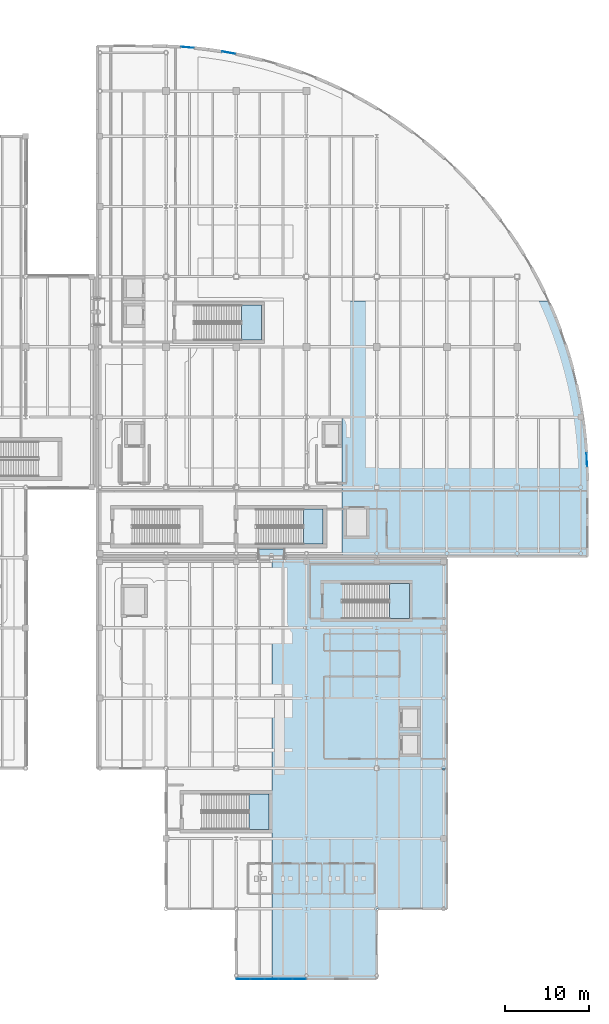
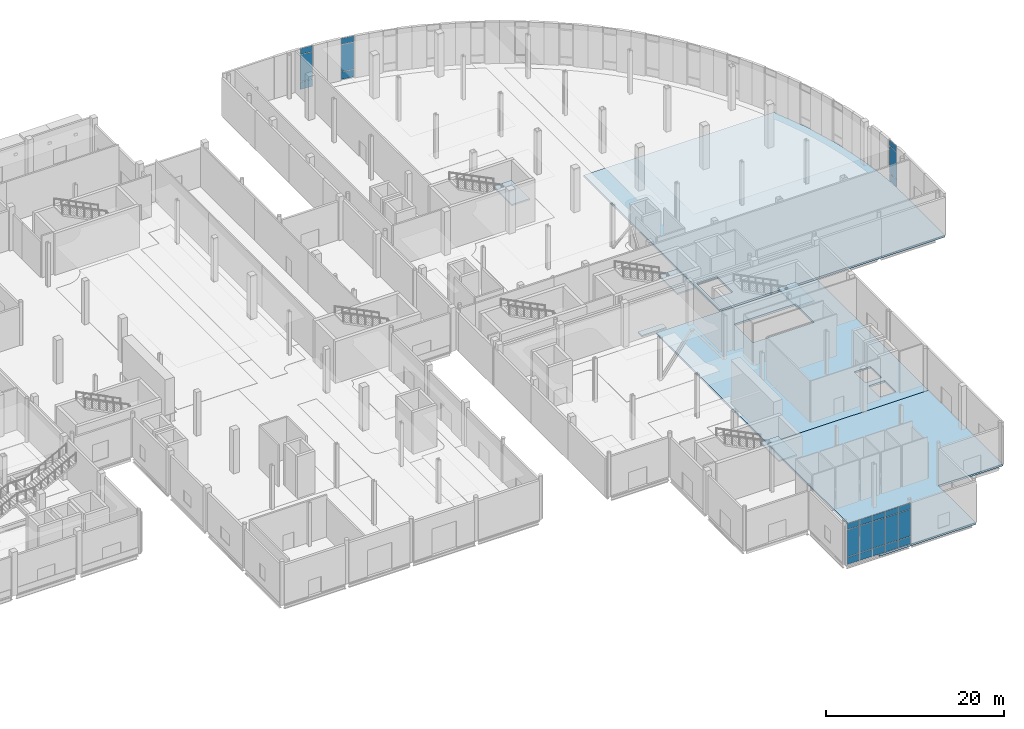
# One storey, part 41 of 85: 24 plates, 8 slabs, 8 elements without a shape of their own.
"""IFC4 building model written with IfcOpenShell, lengths in metres."""

from ifc_helpers import new_model, si_unit, direction, frame, origin, origin_2d, place, context, subcontext, project, spatial, polyline, rectangle, outline, extrude, material, layer, layer_set, type_object, element, aggregate, save


model = new_model("IFC4")

# Units and contexts
model_context = context("Model", 3, precision=1e-05, world=origin(), true_north=direction((0.0, 1.0)))
body_context = subcontext(model_context, "Body", "Model", "MODEL_VIEW")
ifc_project = project(units=[si_unit("LENGTHUNIT", "METRE"), si_unit("AREAUNIT", "SQUARE_METRE"), si_unit("VOLUMEUNIT", "CUBIC_METRE"), si_unit("PLANEANGLEUNIT", "RADIAN"), si_unit("MASSUNIT", "GRAM", prefix="KILO"), si_unit("THERMODYNAMICTEMPERATUREUNIT", "KELVIN")], contexts=[model_context])

# Site, building, storey
site_placement = place(None, origin())
site = spatial("IfcSite", under=ifc_project, at=site_placement, CompositionType="ELEMENT")
building_placement = place(site_placement, origin())
building = spatial("IfcBuilding", under=site, at=building_placement, Name="Lustrewick Department Store", CompositionType="ELEMENT")
storey_placement = place(building_placement, origin())
storey = spatial("IfcBuildingStorey", under=building, at=storey_placement, Name="L01", CompositionType="ELEMENT", Elevation=0.0)

# Curtain wall, plates
ifc_material_1 = material(Name="Thermally broken aluminium 6063-T5", Category="aluminium")
ifc_layer_1 = layer(ifc_material_1, 0.199951171875, Name="Thermally broken aluminium 6063-T5")
ifc_layer_set_1 = layer_set([ifc_layer_1], Name="Thermally broken aluminium 6063-T5")
curtain_wall_type_1 = type_object("IfcCurtainWallType", Name="CW01", PredefinedType="NOTDEFINED", material=ifc_layer_set_1)
curtain_wall_1_placement = place(storey_placement, origin())
curtain_wall_1 = element("IfcCurtainWall", 1, at=curtain_wall_1_placement, inside=storey, type_object=curtain_wall_type_1, Name="L01 V3 Curtain Wall CW01", PredefinedType="NOTDEFINED")
ifc_material_2 = material(Name="Low-E laminated safety glass", Category="glass")
ifc_layer_2 = layer(ifc_material_2, 0.02392578125, Name="Low-E laminated safety glass")
ifc_layer_set_2 = layer_set([ifc_layer_2], Name="Low-E laminated safety glass")
plate_type_1 = type_object("IfcPlateType", Name="CP01", PredefinedType="CURTAIN_PANEL", material=ifc_layer_set_2)
plate_1_placement = place(storey_placement, frame((126.857421875, 0.0, 0.06982421875), z_axis=(0.0, 0.0, 1.0), x_axis=(1.0, 0.0, 0.0)))
plate_1 = element("IfcPlate", 2, at=plate_1_placement, type_object=plate_type_1, Name="CW01 panel 1.1", PredefinedType="CURTAIN_PANEL", context=body_context, shape_type="SweptSolid", body=[
    extrude(rectangle(XDim=1.574951171875, YDim=0.02392578125, at=origin_2d()), origin(), (0.0, 0.0, 1.0), 0.9951171875),
])
plate_2_placement = place(storey_placement, frame((126.857421875, 0.0, 1.134765625), z_axis=(0.0, 0.0, 1.0), x_axis=(1.0, 0.0, 0.0)))
plate_2 = element("IfcPlate", 3, at=plate_2_placement, type_object=plate_type_1, Name="CW01 panel 1.2", PredefinedType="CURTAIN_PANEL", context=body_context, shape_type="SweptSolid", body=[
    extrude(rectangle(XDim=1.574951171875, YDim=0.02392578125, at=origin_2d()), origin(), (0.0, 0.0, 1.0), 3.675048828125),
])
plate_3_placement = place(storey_placement, frame((126.857421875, 0.0, 4.880126953125), z_axis=(0.0, 0.0, 1.0), x_axis=(1.0, 0.0, 0.0)))
plate_3 = element("IfcPlate", 4, at=plate_3_placement, type_object=plate_type_1, Name="CW01 panel 1.3", PredefinedType="CURTAIN_PANEL", context=body_context, shape_type="SweptSolid", body=[
    extrude(rectangle(XDim=1.574951171875, YDim=0.02392578125, at=origin_2d()), origin(), (0.0, 0.0, 1.0), 0.794921875),
])
plate_4_placement = place(storey_placement, frame((128.52001953125, 0.0, 0.06982421875), z_axis=(0.0, 0.0, 1.0), x_axis=(1.0, 0.0, 0.0)))
plate_4 = element("IfcPlate", 5, at=plate_4_placement, type_object=plate_type_1, Name="CW01 panel 2.1", PredefinedType="CURTAIN_PANEL", context=body_context, shape_type="SweptSolid", body=[
    extrude(rectangle(XDim=1.610107421875, YDim=0.02392578125, at=origin_2d()), origin(), (0.0, 0.0, 1.0), 0.9951171875),
])
plate_5_placement = place(storey_placement, frame((128.52001953125, 0.0, 1.134765625), z_axis=(0.0, 0.0, 1.0), x_axis=(1.0, 0.0, 0.0)))
plate_5 = element("IfcPlate", 6, at=plate_5_placement, type_object=plate_type_1, Name="CW01 panel 2.2", PredefinedType="CURTAIN_PANEL", context=body_context, shape_type="SweptSolid", body=[
    extrude(rectangle(XDim=1.610107421875, YDim=0.02392578125, at=origin_2d()), origin(), (0.0, 0.0, 1.0), 3.675048828125),
])
plate_6_placement = place(storey_placement, frame((128.52001953125, 0.0, 4.880126953125), z_axis=(0.0, 0.0, 1.0), x_axis=(1.0, 0.0, 0.0)))
plate_6 = element("IfcPlate", 7, at=plate_6_placement, type_object=plate_type_1, Name="CW01 panel 2.3", PredefinedType="CURTAIN_PANEL", context=body_context, shape_type="SweptSolid", body=[
    extrude(rectangle(XDim=1.610107421875, YDim=0.02392578125, at=origin_2d()), origin(), (0.0, 0.0, 1.0), 0.794921875),
])
plate_7_placement = place(storey_placement, frame((130.199951171875, 0.0, 0.06982421875), z_axis=(0.0, 0.0, 1.0), x_axis=(1.0, 0.0, 0.0)))
plate_7 = element("IfcPlate", 8, at=plate_7_placement, type_object=plate_type_1, Name="CW01 panel 3.1", PredefinedType="CURTAIN_PANEL", context=body_context, shape_type="SweptSolid", body=[
    extrude(rectangle(XDim=1.610107421875, YDim=0.02392578125, at=origin_2d()), origin(), (0.0, 0.0, 1.0), 0.9951171875),
])
plate_8_placement = place(storey_placement, frame((130.199951171875, 0.0, 1.134765625), z_axis=(0.0, 0.0, 1.0), x_axis=(1.0, 0.0, 0.0)))
plate_8 = element("IfcPlate", 9, at=plate_8_placement, type_object=plate_type_1, Name="CW01 panel 3.2", PredefinedType="CURTAIN_PANEL", context=body_context, shape_type="SweptSolid", body=[
    extrude(rectangle(XDim=1.610107421875, YDim=0.02392578125, at=origin_2d()), origin(), (0.0, 0.0, 1.0), 3.675048828125),
])
plate_9_placement = place(storey_placement, frame((130.199951171875, 0.0, 4.880126953125), z_axis=(0.0, 0.0, 1.0), x_axis=(1.0, 0.0, 0.0)))
plate_9 = element("IfcPlate", 10, at=plate_9_placement, type_object=plate_type_1, Name="CW01 panel 3.3", PredefinedType="CURTAIN_PANEL", context=body_context, shape_type="SweptSolid", body=[
    extrude(rectangle(XDim=1.610107421875, YDim=0.02392578125, at=origin_2d()), origin(), (0.0, 0.0, 1.0), 0.794921875),
])
plate_10_placement = place(storey_placement, frame((131.8798828125, 0.0, 0.06982421875), z_axis=(0.0, 0.0, 1.0), x_axis=(1.0, 0.0, 0.0)))
plate_10 = element("IfcPlate", 11, at=plate_10_placement, type_object=plate_type_1, Name="CW01 panel 4.1", PredefinedType="CURTAIN_PANEL", context=body_context, shape_type="SweptSolid", body=[
    extrude(rectangle(XDim=1.610107421875, YDim=0.02392578125, at=origin_2d()), origin(), (0.0, 0.0, 1.0), 0.9951171875),
])
plate_11_placement = place(storey_placement, frame((131.8798828125, 0.0, 1.134765625), z_axis=(0.0, 0.0, 1.0), x_axis=(1.0, 0.0, 0.0)))
plate_11 = element("IfcPlate", 12, at=plate_11_placement, type_object=plate_type_1, Name="CW01 panel 4.2", PredefinedType="CURTAIN_PANEL", context=body_context, shape_type="SweptSolid", body=[
    extrude(rectangle(XDim=1.610107421875, YDim=0.02392578125, at=origin_2d()), origin(), (0.0, 0.0, 1.0), 3.675048828125),
])
plate_12_placement = place(storey_placement, frame((131.8798828125, 0.0, 4.880126953125), z_axis=(0.0, 0.0, 1.0), x_axis=(1.0, 0.0, 0.0)))
plate_12 = element("IfcPlate", 13, at=plate_12_placement, type_object=plate_type_1, Name="CW01 panel 4.3", PredefinedType="CURTAIN_PANEL", context=body_context, shape_type="SweptSolid", body=[
    extrude(rectangle(XDim=1.610107421875, YDim=0.02392578125, at=origin_2d()), origin(), (0.0, 0.0, 1.0), 0.794921875),
])
plate_13_placement = place(storey_placement, frame((133.54248046875, 0.0, 0.06982421875), z_axis=(0.0, 0.0, 1.0), x_axis=(1.0, 0.0, 0.0)))
plate_13 = element("IfcPlate", 14, at=plate_13_placement, type_object=plate_type_1, Name="CW01 panel 5.1", PredefinedType="CURTAIN_PANEL", context=body_context, shape_type="SweptSolid", body=[
    extrude(rectangle(XDim=1.574951171875, YDim=0.02392578125, at=origin_2d()), origin(), (0.0, 0.0, 1.0), 0.9951171875),
])
plate_14_placement = place(storey_placement, frame((133.54248046875, 0.0, 1.134765625), z_axis=(0.0, 0.0, 1.0), x_axis=(1.0, 0.0, 0.0)))
plate_14 = element("IfcPlate", 15, at=plate_14_placement, type_object=plate_type_1, Name="CW01 panel 5.2", PredefinedType="CURTAIN_PANEL", context=body_context, shape_type="SweptSolid", body=[
    extrude(rectangle(XDim=1.574951171875, YDim=0.02392578125, at=origin_2d()), origin(), (0.0, 0.0, 1.0), 3.675048828125),
])
plate_15_placement = place(storey_placement, frame((133.54248046875, 0.0, 4.880126953125), z_axis=(0.0, 0.0, 1.0), x_axis=(1.0, 0.0, 0.0)))
plate_15 = element("IfcPlate", 16, at=plate_15_placement, type_object=plate_type_1, Name="CW01 panel 5.3", PredefinedType="CURTAIN_PANEL", context=body_context, shape_type="SweptSolid", body=[
    extrude(rectangle(XDim=1.574951171875, YDim=0.02392578125, at=origin_2d()), origin(), (0.0, 0.0, 1.0), 0.794921875),
])
aggregate(curtain_wall_1, [plate_1, plate_2, plate_3, plate_4, plate_5, plate_6, plate_7, plate_8, plate_9, plate_10, plate_11, plate_12, plate_13, plate_14, plate_15])

curtain_wall_2_placement = place(storey_placement, origin())
curtain_wall_2 = element("IfcCurtainWall", 17, at=curtain_wall_2_placement, inside=storey, type_object=curtain_wall_type_1, Name="L01 V4 Curtain Wall CW01", PredefinedType="NOTDEFINED")
plate_16_placement = place(storey_placement, frame((120.162353515625, 111.426513671875, 0.06982421875), z_axis=(0.0, 0.0, 1.0), x_axis=(-0.996787558737, 0.08009096545, 0.0)))
plate_16 = element("IfcPlate", 18, at=plate_16_placement, type_object=plate_type_1, Name="CW01 panel 1.1", PredefinedType="CURTAIN_PANEL", context=body_context, shape_type="SweptSolid", body=[
    extrude(rectangle(XDim=1.52685546875, YDim=0.02392578125, at=origin_2d()), origin(), (0.0, 0.0, 1.0), 0.9951171875),
])
plate_17_placement = place(storey_placement, frame((120.162353515625, 111.426513671875, 1.134765625), z_axis=(0.0, 0.0, 1.0), x_axis=(-0.996787558737, 0.08009096545, 0.0)))
plate_17 = element("IfcPlate", 19, at=plate_17_placement, type_object=plate_type_1, Name="CW01 panel 1.2", PredefinedType="CURTAIN_PANEL", context=body_context, shape_type="SweptSolid", body=[
    extrude(rectangle(XDim=1.52685546875, YDim=0.02392578125, at=origin_2d()), origin(), (0.0, 0.0, 1.0), 3.675048828125),
])
plate_18_placement = place(storey_placement, frame((120.162353515625, 111.426513671875, 4.880126953125), z_axis=(0.0, 0.0, 1.0), x_axis=(-0.996787558737, 0.08009096545, 0.0)))
plate_18 = element("IfcPlate", 20, at=plate_18_placement, type_object=plate_type_1, Name="CW01 panel 1.3", PredefinedType="CURTAIN_PANEL", context=body_context, shape_type="SweptSolid", body=[
    extrude(rectangle(XDim=1.52685546875, YDim=0.02392578125, at=origin_2d()), origin(), (0.0, 0.0, 1.0), 0.794921875),
])
aggregate(curtain_wall_2, [plate_16, plate_17, plate_18])

ifc_layer_3 = layer(ifc_material_1, 0.179931640625, Name="Thermally broken aluminium 6063-T5")
ifc_layer_set_3 = layer_set([ifc_layer_3], Name="Thermally broken aluminium 6063-T5")
curtain_wall_type_2 = type_object("IfcCurtainWallType", Name="CW02", PredefinedType="NOTDEFINED", material=ifc_layer_set_3)
curtain_wall_3_placement = place(storey_placement, origin())
curtain_wall_3 = element("IfcCurtainWall", 21, at=curtain_wall_3_placement, inside=storey, type_object=curtain_wall_type_2, Name="L01 V4 Curtain Wall CW02", PredefinedType="NOTDEFINED")
ifc_layer_4 = layer(ifc_material_2, 0.02587890625, Name="Low-E laminated safety glass")
ifc_layer_set_4 = layer_set([ifc_layer_4], Name="Low-E laminated safety glass")
plate_type_2 = type_object("IfcPlateType", Name="CP02", PredefinedType="CURTAIN_PANEL", material=ifc_layer_set_4)
plate_19_placement = place(storey_placement, frame((167.933349609375, 62.09912109375, 0.06494140625), z_axis=(0.0, 0.0, 1.0), x_axis=(-0.048052534093, 0.998844809751, 0.0)))
plate_19 = element("IfcPlate", 22, at=plate_19_placement, type_object=plate_type_2, Name="CW02 panel 1.1", PredefinedType="CURTAIN_PANEL", context=body_context, shape_type="SweptSolid", body=[
    extrude(rectangle(XDim=1.536865234375, YDim=0.02587890625, at=origin_2d()), origin(), (0.0, 0.0, 1.0), 1.00244140625),
])
plate_20_placement = place(storey_placement, frame((167.933349609375, 62.09912109375, 1.13232421875), z_axis=(0.0, 0.0, 1.0), x_axis=(-0.048052534093, 0.998844809751, 0.0)))
plate_20 = element("IfcPlate", 23, at=plate_20_placement, type_object=plate_type_2, Name="CW02 panel 1.2", PredefinedType="CURTAIN_PANEL", context=body_context, shape_type="SweptSolid", body=[
    extrude(rectangle(XDim=1.536865234375, YDim=0.02587890625, at=origin_2d()), origin(), (0.0, 0.0, 1.0), 3.679931640625),
])
plate_21_placement = place(storey_placement, frame((167.933349609375, 62.09912109375, 4.87744140625), z_axis=(0.0, 0.0, 1.0), x_axis=(-0.048052534093, 0.998844809751, 0.0)))
plate_21 = element("IfcPlate", 24, at=plate_21_placement, type_object=plate_type_2, Name="CW02 panel 1.3", PredefinedType="CURTAIN_PANEL", context=body_context, shape_type="SweptSolid", body=[
    extrude(rectangle(XDim=1.536865234375, YDim=0.02587890625, at=origin_2d()), origin(), (0.0, 0.0, 1.0), 0.802490234375),
])
aggregate(curtain_wall_3, [plate_19, plate_20, plate_21])

ifc_layer_5 = layer(ifc_material_1, 0.139892578125, Name="Thermally broken aluminium 6063-T5")
ifc_layer_set_5 = layer_set([ifc_layer_5], Name="Thermally broken aluminium 6063-T5")
curtain_wall_type_3 = type_object("IfcCurtainWallType", Name="CW15", PredefinedType="NOTDEFINED", material=ifc_layer_set_5)
curtain_wall_4_placement = place(storey_placement, origin())
curtain_wall_4 = element("IfcCurtainWall", 25, at=curtain_wall_4_placement, inside=storey, type_object=curtain_wall_type_3, Name="L01 V4 Curtain Wall CW15", PredefinedType="NOTDEFINED")
ifc_material_3 = material(Name="Low-E triple laminated safety glass", Category="glass")
ifc_layer_6 = layer(ifc_material_3, 0.031982421875, Name="Low-E triple laminated safety glass")
ifc_layer_set_6 = layer_set([ifc_layer_6], Name="Low-E triple laminated safety glass")
plate_type_3 = type_object("IfcPlateType", Name="CP05", PredefinedType="CURTAIN_PANEL", material=ifc_layer_set_6)
plate_22_placement = place(storey_placement, frame((125.11962890625, 110.787353515625, 0.054931640625), z_axis=(0.0, 0.0, 1.0), x_axis=(-0.984493506403, 0.175421024539, 0.0)))
plate_22 = element("IfcPlate", 26, at=plate_22_placement, type_object=plate_type_3, Name="CW15 panel 1.1", PredefinedType="CURTAIN_PANEL", context=body_context, shape_type="SweptSolid", body=[
    extrude(rectangle(XDim=1.556884765625, YDim=0.031982421875, at=origin_2d()), origin(), (0.0, 0.0, 1.0), 1.017578125),
])
plate_23_placement = place(storey_placement, frame((125.11962890625, 110.787353515625, 1.12744140625), z_axis=(0.0, 0.0, 1.0), x_axis=(-0.984493506403, 0.175421024539, 0.0)))
plate_23 = element("IfcPlate", 27, at=plate_23_placement, type_object=plate_type_3, Name="CW15 panel 1.2", PredefinedType="CURTAIN_PANEL", context=body_context, shape_type="SweptSolid", body=[
    extrude(rectangle(XDim=1.556884765625, YDim=0.031982421875, at=origin_2d()), origin(), (0.0, 0.0, 1.0), 3.68994140625),
])
plate_24_placement = place(storey_placement, frame((125.11962890625, 110.787353515625, 4.87255859375), z_axis=(0.0, 0.0, 1.0), x_axis=(-0.984493506403, 0.175421024539, 0.0)))
plate_24 = element("IfcPlate", 28, at=plate_24_placement, type_object=plate_type_3, Name="CW15 panel 1.3", PredefinedType="CURTAIN_PANEL", context=body_context, shape_type="SweptSolid", body=[
    extrude(rectangle(XDim=1.556884765625, YDim=0.031982421875, at=origin_2d()), origin(), (0.0, 0.0, 1.0), 0.8173828125),
])
aggregate(curtain_wall_4, [plate_22, plate_23, plate_24])

# Slabs
ifc_material_4 = material(Name="Concrete C30", Category="concrete")
ifc_layer_7 = layer(ifc_material_4, 0.260009765625, Name="Concrete C30")
ifc_layer_set_7 = layer_set([ifc_layer_7], Name="Concrete C30")
slab_type_1 = type_object("IfcSlabType", Name="FS01", PredefinedType="FLOOR", material=ifc_layer_set_7)
slab_1_placement = place(storey_placement, frame((0.0, 0.0, -0.260009765625)))
element("IfcSlab", 29, at=slab_1_placement, inside=storey, type_object=slab_type_1, Name="L01 V3 Floor Slab FS01", PredefinedType="FLOOR", context=body_context, shape_type="SweptSolid", body=[
    extrude(outline(polyline([(130.27490234375, 0.0), (142.800048828125, 0.0), (142.800048828125, 8.39990234375), (151.199951171875, 8.39990234375), (151.199951171875, 25.125), (130.27490234375, 25.125), (130.27490234375, 0.0)])), origin(), (0.0, 0.0, 1.0), 0.260009765625),
])
slab_2_placement = place(storey_placement, frame((0.0, 0.0, -0.260009765625)))
element("IfcSlab", 30, at=slab_2_placement, inside=storey, type_object=slab_type_1, Name="L01 V3 Floor Slab FS01", PredefinedType="FLOOR", context=body_context, shape_type="SweptSolid", body=[
    extrude(outline(polyline([(151.199951171875, 50.25), (130.27490234375, 50.25), (130.27490234375, 25.125), (151.199951171875, 25.125), (151.199951171875, 50.25)]), holes=[polyline([(145.75, 26.75), (145.75, 29.25), (147.85009765625, 29.25), (147.85009765625, 26.75), (145.75, 26.75)]), polyline([(145.75, 29.949951171875), (145.75, 32.449951171875), (147.85009765625, 32.449951171875), (147.85009765625, 29.949951171875), (145.75, 29.949951171875)]), polyline([(138.719970703125, 43.10009765625), (138.719970703125, 47.300048828125), (146.699951171875, 47.300048828125), (146.699951171875, 43.10009765625), (138.719970703125, 43.10009765625)])]), origin(), (0.0, 0.0, 1.0), 0.260009765625),
])
slab_3_placement = place(storey_placement, frame((0.0, 0.0, -0.260009765625)))
element("IfcSlab", 31, at=slab_3_placement, inside=storey, type_object=slab_type_1, Name="L01 V4 Floor Slab FS01", PredefinedType="FLOOR", context=body_context, shape_type="SweptSolid", body=[
    extrude(outline(polyline([(163.549560546875, 80.648681640625), (163.3525390625, 81.074951171875), (138.675048828125, 81.074951171875), (138.675048828125, 50.550048828125), (168.0, 50.550048828125), (168.0, 59.60009765625), (167.973388671875, 61.2666015625), (167.893310546875, 62.931640625), (167.759765625, 64.59326171875), (167.572998046875, 66.24951171875), (167.33349609375, 67.899169921875), (167.041015625, 69.540283203125), (166.6962890625, 71.171142578125), (166.29931640625, 72.7900390625), (165.8505859375, 74.3955078125), (165.350830078125, 75.985595703125), (164.80029296875, 77.55908203125), (164.19970703125, 79.114013671875), (163.549560546875, 80.648681640625)]), holes=[polyline([(139.050048828125, 52.85009765625), (139.050048828125, 56.35009765625), (141.75, 56.35009765625), (141.75, 52.85009765625), (139.050048828125, 52.85009765625)])]), origin(), (0.0, 0.0, 1.0), 0.260009765625),
])
ifc_layer_8 = layer(ifc_material_4, 0.215087890625, Name="Concrete C30")
ifc_layer_set_8 = layer_set([ifc_layer_8], Name="Concrete C30")
slab_type_2 = type_object("IfcSlabType", Name="FS10", PredefinedType="FLOOR", material=ifc_layer_set_8)
slab_4_placement = place(storey_placement, frame((0.0, 0.0, -0.215087890625)))
element("IfcSlab", 32, at=slab_4_placement, inside=storey, type_object=slab_type_2, Name="L01 Skybridge SB34 Deck Slab", PredefinedType="FLOOR", context=body_context, shape_type="SweptSolid", body=[
    extrude(outline(polyline([(131.800048828125, 50.554931640625), (131.800048828125, 51.429931640625), (128.60009765625, 51.429931640625), (128.60009765625, 50.554931640625), (131.800048828125, 50.554931640625)])), origin(), (0.0, 0.0, 1.0), 0.215087890625),
])

# Stair, slab
stair_type = type_object("IfcStairType", Name="ST-H60", PredefinedType="HALF_TURN_STAIR", material=ifc_material_4)
stair_1_placement = place(storey_placement, origin())
stair_1 = element("IfcStair", 33, at=stair_1_placement, inside=storey, type_object=stair_type, Name="L01 Smoke-Proof Exit Stair ST07", PredefinedType="HALF_TURN_STAIR")
ifc_layer_9 = layer(ifc_material_4, 0.199951171875, Name="Concrete C30")
ifc_layer_set_9 = layer_set([ifc_layer_9], Name="Concrete C30")
slab_type_3 = type_object("IfcSlabType", Name="LS01", PredefinedType="LANDING", material=ifc_layer_set_9)
slab_5_placement = place(storey_placement, frame((0.0, 0.0, 2.800048828125)))
slab_5 = element("IfcSlab", 34, at=slab_5_placement, type_object=slab_type_3, Name="ST-H60 landing 1", PredefinedType="LANDING", context=body_context, shape_type="SweptSolid", body=[
    extrude(outline(polyline([(127.550048828125, 17.89990234375), (129.89990234375, 17.89990234375), (129.89990234375, 22.10009765625), (127.550048828125, 22.10009765625), (127.550048828125, 17.89990234375)])), origin(), (0.0, 0.0, 1.0), 0.199951171875),
])
aggregate(stair_1, [slab_5])

stair_2_placement = place(storey_placement, origin())
stair_2 = element("IfcStair", 35, at=stair_2_placement, inside=storey, type_object=stair_type, Name="L01 Smoke-Proof Exit Stair ST08", PredefinedType="HALF_TURN_STAIR")
slab_6_placement = place(storey_placement, frame((0.0, 0.0, 2.800048828125)))
slab_6 = element("IfcSlab", 36, at=slab_6_placement, type_object=slab_type_3, Name="ST-H60 landing 1", PredefinedType="LANDING", context=body_context, shape_type="SweptSolid", body=[
    extrude(outline(polyline([(144.35009765625, 43.10009765625), (146.699951171875, 43.10009765625), (146.699951171875, 47.300048828125), (144.35009765625, 47.300048828125), (144.35009765625, 43.10009765625)])), origin(), (0.0, 0.0, 1.0), 0.199951171875),
])
aggregate(stair_2, [slab_6])

stair_3_placement = place(storey_placement, origin())
stair_3 = element("IfcStair", 37, at=stair_3_placement, inside=storey, type_object=stair_type, Name="L01 Smoke-Proof Exit Stair ST10", PredefinedType="HALF_TURN_STAIR")
slab_7_placement = place(storey_placement, frame((0.0, 0.0, 2.800048828125)))
slab_7 = element("IfcSlab", 38, at=slab_7_placement, type_object=slab_type_3, Name="ST-H60 landing 1", PredefinedType="LANDING", context=body_context, shape_type="SweptSolid", body=[
    extrude(outline(polyline([(126.64990234375, 76.39990234375), (129.0, 76.39990234375), (129.0, 80.60009765625), (126.64990234375, 80.60009765625), (126.64990234375, 76.39990234375)])), origin(), (0.0, 0.0, 1.0), 0.199951171875),
])
aggregate(stair_3, [slab_7])

stair_4_placement = place(storey_placement, origin())
stair_4 = element("IfcStair", 39, at=stair_4_placement, inside=storey, type_object=stair_type, Name="L01 Smoke-Proof Exit Stair ST11", PredefinedType="HALF_TURN_STAIR")
slab_8_placement = place(storey_placement, frame((0.0, 0.0, 2.800048828125)))
slab_8 = element("IfcSlab", 40, at=slab_8_placement, type_object=slab_type_3, Name="ST-H60 landing 1", PredefinedType="LANDING", context=body_context, shape_type="SweptSolid", body=[
    extrude(outline(polyline([(134.050048828125, 52.0), (136.39990234375, 52.0), (136.39990234375, 56.199951171875), (134.050048828125, 56.199951171875), (134.050048828125, 52.0)])), origin(), (0.0, 0.0, 1.0), 0.199951171875),
])
aggregate(stair_4, [slab_8])

save(model, "model.ifc")
